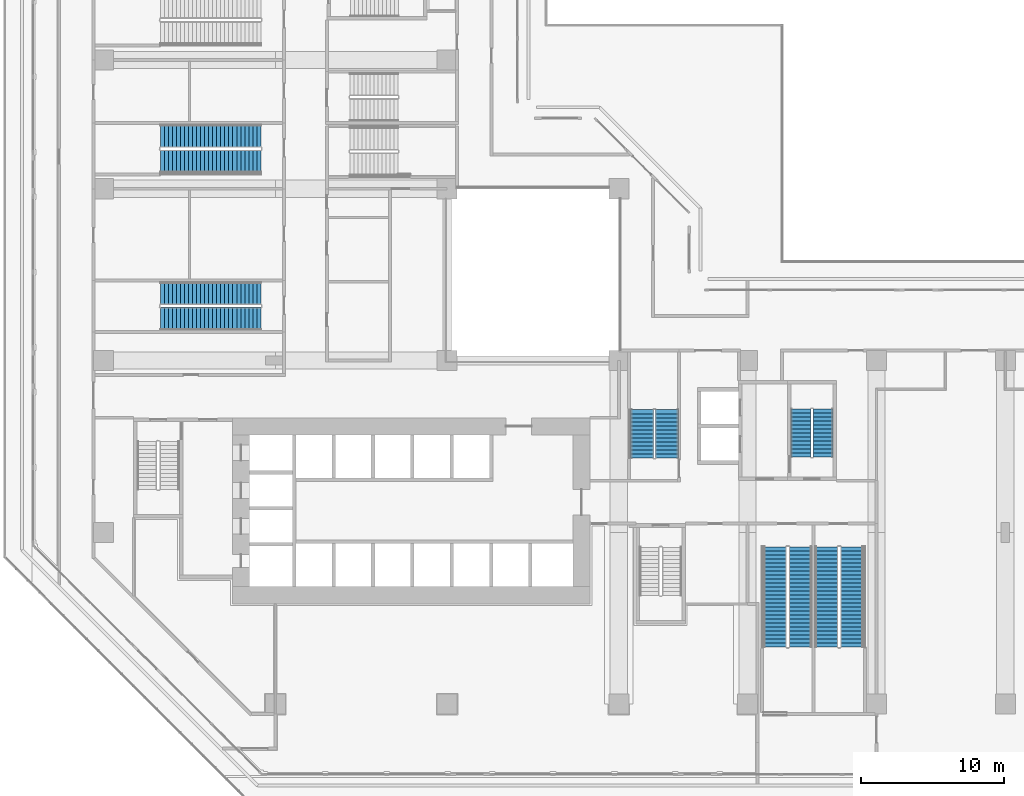
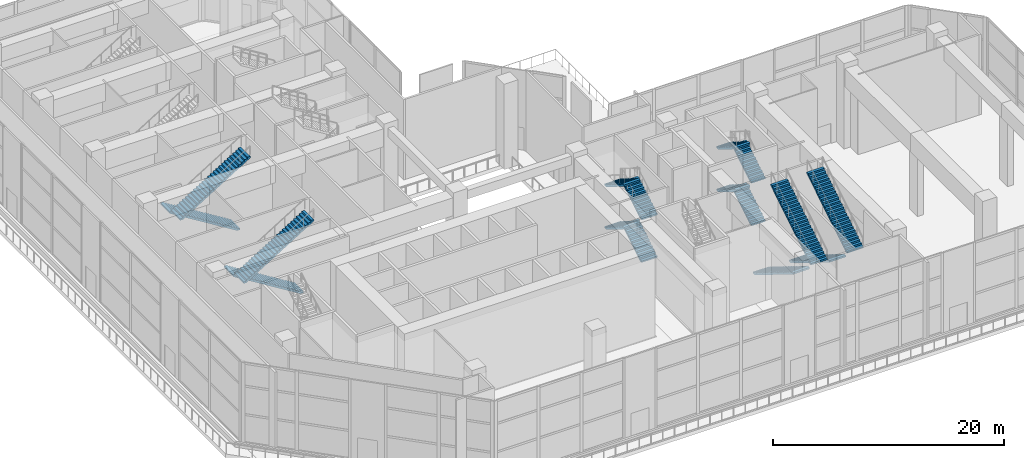
# One storey, part 19 of 28: 16 stair flights, 6 elements without a shape of their own.
"""IFC4 building model written with IfcOpenShell, lengths in metres."""

from ifc_helpers import new_model, si_unit, direction, frame, origin, place, context, subcontext, project, spatial, polyline, outline, extrude, material, type_object, element, aggregate, save


model = new_model("IFC4")

# Units and contexts
model_context = context("Model", 3, precision=1e-05, world=origin(), true_north=direction((0.0, 1.0)))
body_context = subcontext(model_context, "Body", "Model", "MODEL_VIEW")
ifc_project = project(units=[si_unit("LENGTHUNIT", "METRE"), si_unit("AREAUNIT", "SQUARE_METRE"), si_unit("VOLUMEUNIT", "CUBIC_METRE"), si_unit("PLANEANGLEUNIT", "RADIAN"), si_unit("MASSUNIT", "GRAM", prefix="KILO")], contexts=[model_context])

# Site, building, storey
site_placement = place(None, origin())
site = spatial("IfcSite", under=ifc_project, at=site_placement, CompositionType="ELEMENT")
building_placement = place(site_placement, origin())
building = spatial("IfcBuilding", under=site, at=building_placement, Name="Chenar Terraces", CompositionType="ELEMENT")
storey_placement = place(building_placement, frame((0.0, 0.0, 26.39990234375)))
storey = spatial("IfcBuildingStorey", under=building, at=storey_placement, Name="L05", CompositionType="ELEMENT", Elevation=26.39990234375)

# Stair, stair flights
ifc_material_1 = material(Name="Reinforced concrete C40/50", Category="concrete")
stair_type = type_object("IfcStairType", Name="Core stair 1400 half-turn", PredefinedType="HALF_TURN_STAIR", material=ifc_material_1)
placement = place(storey_placement, origin())
stair_1 = element("IfcStair", 1, at=placement, inside=storey, type_object=stair_type, Name="L05 Stair 3", PredefinedType="HALF_TURN_STAIR")
ifc_material_2 = material(Name="Reinforced concrete C40/50", Category="concrete")
stair_flight_type = type_object("IfcStairFlightType", Name="Core stair flight 1400", PredefinedType="STRAIGHT", material=ifc_material_2)
stair_flight_1_placement = place(storey_placement, frame((50.27490234375, 17.25, 0.0), z_axis=(0.0, 0.0, 1.0), x_axis=(0.0, 1.0, 0.0)))
stair_flight_1 = element("IfcStairFlight", 2, at=stair_flight_1_placement, type_object=stair_flight_type, Name="ST3 flight 1", NumberOfRisers=13, NumberOfTreads=12, PredefinedType="STRAIGHT", RiserHeight=0.173076923, TreadLength=0.28, context=body_context, shape_type="SweptSolid", body=[
    extrude(outline(polyline([(-0.0029296875, 0.0), (-0.0029296875, 0.173095703125), (0.0, 0.173095703125), (0.280029296875, 0.173095703125), (0.280029296875, 0.34619140625), (0.56005859375, 0.34619140625), (0.56005859375, 0.519287109375), (0.840087890625, 0.519287109375), (0.840087890625, 0.6923828125), (1.1201171875, 0.6923828125), (1.1201171875, 0.865478515625), (1.39990234375, 0.865478515625), (1.39990234375, 1.03857421875), (1.679931640625, 1.03857421875), (1.679931640625, 1.21142578125), (1.9599609375, 1.21142578125), (1.9599609375, 1.384521484375), (2.239990234375, 1.384521484375), (2.239990234375, 1.5576171875), (2.52001953125, 1.5576171875), (2.52001953125, 1.730712890625), (2.800048828125, 1.730712890625), (2.800048828125, 1.90380859375), (3.080078125, 1.90380859375), (3.080078125, 2.076904296875), (3.360107421875, 2.076904296875), (3.363037109375, 2.076904296875), (3.363037109375, 1.900634765625), (3.360107421875, 1.900634765625), (0.28515625, 0.0), (-0.0029296875, 0.0)])), frame((0.0, 0.699951171875, 0.0), z_axis=(0.0, -1.0, 0.0), x_axis=(1.0, 0.0, 0.0)), (0.0, 0.0, 1.0), 1.39990234375),
])
stair_flight_2_placement = place(storey_placement, frame((48.72509765625, 20.610107421875, 2.25), z_axis=(0.0, 0.0, 1.0), x_axis=(0.0, -1.0, 0.0)))
stair_flight_2 = element("IfcStairFlight", 3, at=stair_flight_2_placement, type_object=stair_flight_type, Name="ST3 flight 2", NumberOfRisers=13, NumberOfTreads=12, PredefinedType="STRAIGHT", RiserHeight=0.173076923, TreadLength=0.28, context=body_context, shape_type="SweptSolid", body=[
    extrude(outline(polyline([(-0.0029296875, 0.0), (-0.0029296875, 0.173095703125), (0.0, 0.173095703125), (0.280029296875, 0.173095703125), (0.280029296875, 0.34619140625), (0.56005859375, 0.34619140625), (0.56005859375, 0.519287109375), (0.840087890625, 0.519287109375), (0.840087890625, 0.6923828125), (1.1201171875, 0.6923828125), (1.1201171875, 0.865478515625), (1.39990234375, 0.865478515625), (1.39990234375, 1.03857421875), (1.679931640625, 1.03857421875), (1.679931640625, 1.21142578125), (1.9599609375, 1.21142578125), (1.9599609375, 1.384521484375), (2.239990234375, 1.384521484375), (2.239990234375, 1.5576171875), (2.52001953125, 1.5576171875), (2.52001953125, 1.730712890625), (2.800048828125, 1.730712890625), (2.800048828125, 1.90380859375), (3.080078125, 1.90380859375), (3.080078125, 2.076904296875), (3.360107421875, 2.076904296875), (3.363037109375, 2.076904296875), (3.363037109375, 1.900634765625), (3.360107421875, 1.900634765625), (0.28515625, 0.0), (-0.0029296875, 0.0)])), frame((0.0, 0.699951171875, 0.0), z_axis=(0.0, -1.0, 0.0), x_axis=(1.0, 0.0, 0.0)), (0.0, 0.0, 1.0), 1.39990234375),
])
stair_flight_3_placement = place(storey_placement, frame((50.27490234375, 17.25, 4.5), z_axis=(0.0, 0.0, 1.0), x_axis=(0.0, 1.0, 0.0)))
stair_flight_3 = element("IfcStairFlight", 4, at=stair_flight_3_placement, type_object=stair_flight_type, Name="ST3 flight 3", NumberOfRisers=13, NumberOfTreads=12, PredefinedType="STRAIGHT", RiserHeight=0.173076923, TreadLength=0.28, context=body_context, shape_type="SweptSolid", body=[
    extrude(outline(polyline([(-0.0029296875, 0.0), (-0.0029296875, 0.173095703125), (0.0, 0.173095703125), (0.280029296875, 0.173095703125), (0.280029296875, 0.34619140625), (0.56005859375, 0.34619140625), (0.56005859375, 0.519287109375), (0.840087890625, 0.519287109375), (0.840087890625, 0.6923828125), (1.1201171875, 0.6923828125), (1.1201171875, 0.865478515625), (1.39990234375, 0.865478515625), (1.39990234375, 1.03857421875), (1.679931640625, 1.03857421875), (1.679931640625, 1.21142578125), (1.9599609375, 1.21142578125), (1.9599609375, 1.384521484375), (2.239990234375, 1.384521484375), (2.239990234375, 1.5576171875), (2.52001953125, 1.5576171875), (2.52001953125, 1.730712890625), (2.800048828125, 1.730712890625), (2.800048828125, 1.90380859375), (3.080078125, 1.90380859375), (3.080078125, 2.076904296875), (3.360107421875, 2.076904296875), (3.363037109375, 2.076904296875), (3.363037109375, 1.900634765625), (3.360107421875, 1.900634765625), (0.28515625, 0.0), (-0.0029296875, 0.0)])), frame((0.0, 0.699951171875, 0.0), z_axis=(0.0, -1.0, 0.0), x_axis=(1.0, 0.0, 0.0)), (0.0, 0.0, 1.0), 1.39990234375),
])
stair_flight_4_placement = place(storey_placement, frame((48.72509765625, 20.610107421875, 6.75), z_axis=(0.0, 0.0, 1.0), x_axis=(0.0, -1.0, 0.0)))
stair_flight_4 = element("IfcStairFlight", 5, at=stair_flight_4_placement, type_object=stair_flight_type, Name="ST3 flight 4", NumberOfRisers=13, NumberOfTreads=12, PredefinedType="STRAIGHT", RiserHeight=0.173076923, TreadLength=0.28, context=body_context, shape_type="SweptSolid", body=[
    extrude(outline(polyline([(-0.0029296875, 0.0), (-0.0029296875, 0.173095703125), (0.0, 0.173095703125), (0.280029296875, 0.173095703125), (0.280029296875, 0.34619140625), (0.56005859375, 0.34619140625), (0.56005859375, 0.519287109375), (0.840087890625, 0.519287109375), (0.840087890625, 0.6923828125), (1.1201171875, 0.6923828125), (1.1201171875, 0.865478515625), (1.39990234375, 0.865478515625), (1.39990234375, 1.03857421875), (1.679931640625, 1.03857421875), (1.679931640625, 1.21142578125), (1.9599609375, 1.21142578125), (1.9599609375, 1.384521484375), (2.239990234375, 1.384521484375), (2.239990234375, 1.5576171875), (2.52001953125, 1.5576171875), (2.52001953125, 1.730712890625), (2.800048828125, 1.730712890625), (2.800048828125, 1.90380859375), (3.080078125, 1.90380859375), (3.080078125, 2.076904296875), (3.360107421875, 2.076904296875), (3.363037109375, 2.076904296875), (3.363037109375, 1.900634765625), (3.360107421875, 1.900634765625), (0.28515625, 0.0), (-0.0029296875, 0.0)])), frame((0.0, 0.699951171875, 0.0), z_axis=(0.0, -1.0, 0.0), x_axis=(1.0, 0.0, 0.0)), (0.0, 0.0, 1.0), 1.39990234375),
])
aggregate(stair_1, [stair_flight_1, stair_flight_2, stair_flight_3, stair_flight_4])

stair_2 = element("IfcStair", 6, at=placement, inside=storey, type_object=stair_type, Name="L05 Exit stair PS1", PredefinedType="HALF_TURN_STAIR")
stair_flight_5_placement = place(storey_placement, frame((39.375, 17.199951171875, 0.0), z_axis=(0.0, 0.0, 1.0), x_axis=(0.0, 1.0, 0.0)))
stair_flight_5 = element("IfcStairFlight", 7, at=stair_flight_5_placement, type_object=stair_flight_type, Name="PS1 flight 1", NumberOfRisers=13, NumberOfTreads=12, PredefinedType="STRAIGHT", RiserHeight=0.173076923, TreadLength=0.28, context=body_context, shape_type="SweptSolid", body=[
    extrude(outline(polyline([(-0.0029296875, 0.0), (-0.0029296875, 0.173095703125), (0.0, 0.173095703125), (0.280029296875, 0.173095703125), (0.280029296875, 0.34619140625), (0.56005859375, 0.34619140625), (0.56005859375, 0.519287109375), (0.840087890625, 0.519287109375), (0.840087890625, 0.6923828125), (1.1201171875, 0.6923828125), (1.1201171875, 0.865478515625), (1.39990234375, 0.865478515625), (1.39990234375, 1.03857421875), (1.679931640625, 1.03857421875), (1.679931640625, 1.21142578125), (1.9599609375, 1.21142578125), (1.9599609375, 1.384521484375), (2.239990234375, 1.384521484375), (2.239990234375, 1.5576171875), (2.52001953125, 1.5576171875), (2.52001953125, 1.730712890625), (2.800048828125, 1.730712890625), (2.800048828125, 1.90380859375), (3.080078125, 1.90380859375), (3.080078125, 2.076904296875), (3.360107421875, 2.076904296875), (3.363037109375, 2.076904296875), (3.363037109375, 1.900634765625), (3.360107421875, 1.900634765625), (0.28515625, 0.0), (-0.0029296875, 0.0)])), frame((0.0, 0.800048828125, 0.0), z_axis=(0.0, -1.0, 0.0), x_axis=(1.0, 0.0, 0.0)), (0.0, 0.0, 1.0), 1.60009765625),
])
stair_flight_6_placement = place(storey_placement, frame((37.625, 20.56005859375, 2.25), z_axis=(0.0, 0.0, 1.0), x_axis=(0.0, -1.0, 0.0)))
stair_flight_6 = element("IfcStairFlight", 8, at=stair_flight_6_placement, type_object=stair_flight_type, Name="PS1 flight 2", NumberOfRisers=13, NumberOfTreads=12, PredefinedType="STRAIGHT", RiserHeight=0.173076923, TreadLength=0.28, context=body_context, shape_type="SweptSolid", body=[
    extrude(outline(polyline([(-0.0029296875, 0.0), (-0.0029296875, 0.173095703125), (0.0, 0.173095703125), (0.280029296875, 0.173095703125), (0.280029296875, 0.34619140625), (0.56005859375, 0.34619140625), (0.56005859375, 0.519287109375), (0.840087890625, 0.519287109375), (0.840087890625, 0.6923828125), (1.1201171875, 0.6923828125), (1.1201171875, 0.865478515625), (1.39990234375, 0.865478515625), (1.39990234375, 1.03857421875), (1.679931640625, 1.03857421875), (1.679931640625, 1.21142578125), (1.9599609375, 1.21142578125), (1.9599609375, 1.384521484375), (2.239990234375, 1.384521484375), (2.239990234375, 1.5576171875), (2.52001953125, 1.5576171875), (2.52001953125, 1.730712890625), (2.800048828125, 1.730712890625), (2.800048828125, 1.90380859375), (3.080078125, 1.90380859375), (3.080078125, 2.076904296875), (3.360107421875, 2.076904296875), (3.363037109375, 2.076904296875), (3.363037109375, 1.900634765625), (3.360107421875, 1.900634765625), (0.28515625, 0.0), (-0.0029296875, 0.0)])), frame((0.0, 0.800048828125, 0.0), z_axis=(0.0, -1.0, 0.0), x_axis=(1.0, 0.0, 0.0)), (0.0, 0.0, 1.0), 1.60009765625),
])
stair_flight_7_placement = place(storey_placement, frame((39.375, 17.199951171875, 4.5), z_axis=(0.0, 0.0, 1.0), x_axis=(0.0, 1.0, 0.0)))
stair_flight_7 = element("IfcStairFlight", 9, at=stair_flight_7_placement, type_object=stair_flight_type, Name="PS1 flight 3", NumberOfRisers=13, NumberOfTreads=12, PredefinedType="STRAIGHT", RiserHeight=0.173076923, TreadLength=0.28, context=body_context, shape_type="SweptSolid", body=[
    extrude(outline(polyline([(-0.0029296875, 0.0), (-0.0029296875, 0.173095703125), (0.0, 0.173095703125), (0.280029296875, 0.173095703125), (0.280029296875, 0.34619140625), (0.56005859375, 0.34619140625), (0.56005859375, 0.519287109375), (0.840087890625, 0.519287109375), (0.840087890625, 0.6923828125), (1.1201171875, 0.6923828125), (1.1201171875, 0.865478515625), (1.39990234375, 0.865478515625), (1.39990234375, 1.03857421875), (1.679931640625, 1.03857421875), (1.679931640625, 1.21142578125), (1.9599609375, 1.21142578125), (1.9599609375, 1.384521484375), (2.239990234375, 1.384521484375), (2.239990234375, 1.5576171875), (2.52001953125, 1.5576171875), (2.52001953125, 1.730712890625), (2.800048828125, 1.730712890625), (2.800048828125, 1.90380859375), (3.080078125, 1.90380859375), (3.080078125, 2.076904296875), (3.360107421875, 2.076904296875), (3.363037109375, 2.076904296875), (3.363037109375, 1.900634765625), (3.360107421875, 1.900634765625), (0.28515625, 0.0), (-0.0029296875, 0.0)])), frame((0.0, 0.800048828125, 0.0), z_axis=(0.0, -1.0, 0.0), x_axis=(1.0, 0.0, 0.0)), (0.0, 0.0, 1.0), 1.60009765625),
])
stair_flight_8_placement = place(storey_placement, frame((37.625, 20.56005859375, 6.75), z_axis=(0.0, 0.0, 1.0), x_axis=(0.0, -1.0, 0.0)))
stair_flight_8 = element("IfcStairFlight", 10, at=stair_flight_8_placement, type_object=stair_flight_type, Name="PS1 flight 4", NumberOfRisers=13, NumberOfTreads=12, PredefinedType="STRAIGHT", RiserHeight=0.173076923, TreadLength=0.28, context=body_context, shape_type="SweptSolid", body=[
    extrude(outline(polyline([(-0.0029296875, 0.0), (-0.0029296875, 0.173095703125), (0.0, 0.173095703125), (0.280029296875, 0.173095703125), (0.280029296875, 0.34619140625), (0.56005859375, 0.34619140625), (0.56005859375, 0.519287109375), (0.840087890625, 0.519287109375), (0.840087890625, 0.6923828125), (1.1201171875, 0.6923828125), (1.1201171875, 0.865478515625), (1.39990234375, 0.865478515625), (1.39990234375, 1.03857421875), (1.679931640625, 1.03857421875), (1.679931640625, 1.21142578125), (1.9599609375, 1.21142578125), (1.9599609375, 1.384521484375), (2.239990234375, 1.384521484375), (2.239990234375, 1.5576171875), (2.52001953125, 1.5576171875), (2.52001953125, 1.730712890625), (2.800048828125, 1.730712890625), (2.800048828125, 1.90380859375), (3.080078125, 1.90380859375), (3.080078125, 2.076904296875), (3.360107421875, 2.076904296875), (3.363037109375, 2.076904296875), (3.363037109375, 1.900634765625), (3.360107421875, 1.900634765625), (0.28515625, 0.0), (-0.0029296875, 0.0)])), frame((0.0, 0.800048828125, 0.0), z_axis=(0.0, -1.0, 0.0), x_axis=(1.0, 0.0, 0.0)), (0.0, 0.0, 1.0), 1.60009765625),
])
aggregate(stair_2, [stair_flight_5, stair_flight_6, stair_flight_7, stair_flight_8])

stair_3 = element("IfcStair", 11, at=placement, inside=storey, type_object=stair_type, Name="L05 Exit stair PS2", PredefinedType="HALF_TURN_STAIR")
stair_flight_9_placement = place(storey_placement, frame((50.517578125, 10.985107421875, 0.0), z_axis=(0.0, 0.0, 1.0), x_axis=(0.0, -1.0, 0.0)))
stair_flight_9 = element("IfcStairFlight", 12, at=stair_flight_9_placement, type_object=stair_flight_type, Name="PS2 flight 1", NumberOfRisers=26, NumberOfTreads=25, PredefinedType="STRAIGHT", RiserHeight=0.173076923, TreadLength=0.28, context=body_context, shape_type="SweptSolid", body=[
    extrude(outline(polyline([(-0.0029296875, 0.0), (-0.0029296875, 0.173095703125), (0.0, 0.173095703125), (0.280029296875, 0.173095703125), (0.280029296875, 0.34619140625), (0.56005859375, 0.34619140625), (0.56005859375, 0.519287109375), (0.840087890625, 0.519287109375), (0.840087890625, 0.6923828125), (1.1201171875, 0.6923828125), (1.1201171875, 0.865478515625), (1.39990234375, 0.865478515625), (1.39990234375, 1.03857421875), (1.679931640625, 1.03857421875), (1.679931640625, 1.21142578125), (1.9599609375, 1.21142578125), (1.9599609375, 1.384521484375), (2.239990234375, 1.384521484375), (2.239990234375, 1.5576171875), (2.52001953125, 1.5576171875), (2.52001953125, 1.730712890625), (2.800048828125, 1.730712890625), (2.800048828125, 1.90380859375), (3.080078125, 1.90380859375), (3.080078125, 2.076904296875), (3.360107421875, 2.076904296875), (3.360107421875, 2.25), (3.639892578125, 2.25), (3.639892578125, 2.423095703125), (3.919921875, 2.423095703125), (3.919921875, 2.59619140625), (4.199951171875, 2.59619140625), (4.199951171875, 2.769287109375), (4.47998046875, 2.769287109375), (4.47998046875, 2.9423828125), (4.760009765625, 2.9423828125), (4.760009765625, 3.115478515625), (5.0400390625, 3.115478515625), (5.0400390625, 3.28857421875), (5.320068359375, 3.28857421875), (5.320068359375, 3.46142578125), (5.60009765625, 3.46142578125), (5.60009765625, 3.634521484375), (5.8798828125, 3.634521484375), (5.8798828125, 3.8076171875), (6.159912109375, 3.8076171875), (6.159912109375, 3.980712890625), (6.43994140625, 3.980712890625), (6.43994140625, 4.15380859375), (6.719970703125, 4.15380859375), (6.719970703125, 4.326904296875), (7.0, 4.326904296875), (7.0029296875, 4.326904296875), (7.0029296875, 4.150634765625), (7.0, 4.150634765625), (0.28515625, 0.0), (-0.0029296875, 0.0)])), frame((0.0, 0.8076171875, 0.0), z_axis=(0.0, -1.0, 0.0), x_axis=(1.0, 0.0, 0.0)), (0.0, 0.0, 1.0), 1.614990234375),
])
stair_flight_10_placement = place(storey_placement, frame((52.282470703125, 3.985107421875, 4.5), z_axis=(0.0, 0.0, 1.0), x_axis=(0.0, 1.0, 0.0)))
stair_flight_10 = element("IfcStairFlight", 13, at=stair_flight_10_placement, type_object=stair_flight_type, Name="PS2 flight 2", NumberOfRisers=26, NumberOfTreads=25, PredefinedType="STRAIGHT", RiserHeight=0.173076923, TreadLength=0.28, context=body_context, shape_type="SweptSolid", body=[
    extrude(outline(polyline([(-0.0029296875, 0.0), (-0.0029296875, 0.173095703125), (0.0, 0.173095703125), (0.280029296875, 0.173095703125), (0.280029296875, 0.34619140625), (0.56005859375, 0.34619140625), (0.56005859375, 0.519287109375), (0.840087890625, 0.519287109375), (0.840087890625, 0.6923828125), (1.1201171875, 0.6923828125), (1.1201171875, 0.865478515625), (1.39990234375, 0.865478515625), (1.39990234375, 1.03857421875), (1.679931640625, 1.03857421875), (1.679931640625, 1.21142578125), (1.9599609375, 1.21142578125), (1.9599609375, 1.384521484375), (2.239990234375, 1.384521484375), (2.239990234375, 1.5576171875), (2.52001953125, 1.5576171875), (2.52001953125, 1.730712890625), (2.800048828125, 1.730712890625), (2.800048828125, 1.90380859375), (3.080078125, 1.90380859375), (3.080078125, 2.076904296875), (3.360107421875, 2.076904296875), (3.360107421875, 2.25), (3.639892578125, 2.25), (3.639892578125, 2.423095703125), (3.919921875, 2.423095703125), (3.919921875, 2.59619140625), (4.199951171875, 2.59619140625), (4.199951171875, 2.769287109375), (4.47998046875, 2.769287109375), (4.47998046875, 2.9423828125), (4.760009765625, 2.9423828125), (4.760009765625, 3.115478515625), (5.0400390625, 3.115478515625), (5.0400390625, 3.28857421875), (5.320068359375, 3.28857421875), (5.320068359375, 3.46142578125), (5.60009765625, 3.46142578125), (5.60009765625, 3.634521484375), (5.8798828125, 3.634521484375), (5.8798828125, 3.8076171875), (6.159912109375, 3.8076171875), (6.159912109375, 3.980712890625), (6.43994140625, 3.980712890625), (6.43994140625, 4.15380859375), (6.719970703125, 4.15380859375), (6.719970703125, 4.326904296875), (7.0, 4.326904296875), (7.0029296875, 4.326904296875), (7.0029296875, 4.150634765625), (7.0, 4.150634765625), (0.28515625, 0.0), (-0.0029296875, 0.0)])), frame((0.0, 0.8076171875, 0.0), z_axis=(0.0, -1.0, 0.0), x_axis=(1.0, 0.0, 0.0)), (0.0, 0.0, 1.0), 1.614990234375),
])
aggregate(stair_3, [stair_flight_9, stair_flight_10])

stair_4 = element("IfcStair", 14, at=placement, inside=storey, type_object=stair_type, Name="L05 Exit stair PS5", PredefinedType="HALF_TURN_STAIR")
stair_flight_11_placement = place(storey_placement, frame((10.985107421875, 28.6826171875, 0.0), z_axis=(0.0, 0.0, 1.0), x_axis=(-1.0, 0.0, 0.0)))
stair_flight_11 = element("IfcStairFlight", 15, at=stair_flight_11_placement, type_object=stair_flight_type, Name="PS5 flight 1", NumberOfRisers=26, NumberOfTreads=25, PredefinedType="STRAIGHT", RiserHeight=0.173076923, TreadLength=0.28, context=body_context, shape_type="SweptSolid", body=[
    extrude(outline(polyline([(-0.0029296875, 0.0), (-0.0029296875, 0.173095703125), (0.0, 0.173095703125), (0.280029296875, 0.173095703125), (0.280029296875, 0.34619140625), (0.56005859375, 0.34619140625), (0.56005859375, 0.519287109375), (0.840087890625, 0.519287109375), (0.840087890625, 0.6923828125), (1.1201171875, 0.6923828125), (1.1201171875, 0.865478515625), (1.39990234375, 0.865478515625), (1.39990234375, 1.03857421875), (1.679931640625, 1.03857421875), (1.679931640625, 1.21142578125), (1.9599609375, 1.21142578125), (1.9599609375, 1.384521484375), (2.239990234375, 1.384521484375), (2.239990234375, 1.5576171875), (2.52001953125, 1.5576171875), (2.52001953125, 1.730712890625), (2.800048828125, 1.730712890625), (2.800048828125, 1.90380859375), (3.080078125, 1.90380859375), (3.080078125, 2.076904296875), (3.360107421875, 2.076904296875), (3.360107421875, 2.25), (3.639892578125, 2.25), (3.639892578125, 2.423095703125), (3.919921875, 2.423095703125), (3.919921875, 2.59619140625), (4.199951171875, 2.59619140625), (4.199951171875, 2.769287109375), (4.47998046875, 2.769287109375), (4.47998046875, 2.9423828125), (4.760009765625, 2.9423828125), (4.760009765625, 3.115478515625), (5.0400390625, 3.115478515625), (5.0400390625, 3.28857421875), (5.320068359375, 3.28857421875), (5.320068359375, 3.46142578125), (5.60009765625, 3.46142578125), (5.60009765625, 3.634521484375), (5.8798828125, 3.634521484375), (5.8798828125, 3.8076171875), (6.159912109375, 3.8076171875), (6.159912109375, 3.980712890625), (6.43994140625, 3.980712890625), (6.43994140625, 4.15380859375), (6.719970703125, 4.15380859375), (6.719970703125, 4.326904296875), (7.0, 4.326904296875), (7.0029296875, 4.326904296875), (7.0029296875, 4.150634765625), (7.0, 4.150634765625), (0.28515625, 0.0), (-0.0029296875, 0.0)])), frame((0.0, 0.8076171875, 0.0), z_axis=(0.0, -1.0, 0.0), x_axis=(1.0, 0.0, 0.0)), (0.0, 0.0, 1.0), 1.614990234375),
])
stair_flight_12_placement = place(storey_placement, frame((3.985107421875, 26.91748046875, 4.5), z_axis=(0.0, 0.0, 1.0), x_axis=(1.0, 0.0, 0.0)))
stair_flight_12 = element("IfcStairFlight", 16, at=stair_flight_12_placement, type_object=stair_flight_type, Name="PS5 flight 2", NumberOfRisers=26, NumberOfTreads=25, PredefinedType="STRAIGHT", RiserHeight=0.173076923, TreadLength=0.28, context=body_context, shape_type="SweptSolid", body=[
    extrude(outline(polyline([(-0.0029296875, 0.0), (-0.0029296875, 0.173095703125), (0.0, 0.173095703125), (0.280029296875, 0.173095703125), (0.280029296875, 0.34619140625), (0.56005859375, 0.34619140625), (0.56005859375, 0.519287109375), (0.840087890625, 0.519287109375), (0.840087890625, 0.6923828125), (1.1201171875, 0.6923828125), (1.1201171875, 0.865478515625), (1.39990234375, 0.865478515625), (1.39990234375, 1.03857421875), (1.679931640625, 1.03857421875), (1.679931640625, 1.21142578125), (1.9599609375, 1.21142578125), (1.9599609375, 1.384521484375), (2.239990234375, 1.384521484375), (2.239990234375, 1.5576171875), (2.52001953125, 1.5576171875), (2.52001953125, 1.730712890625), (2.800048828125, 1.730712890625), (2.800048828125, 1.90380859375), (3.080078125, 1.90380859375), (3.080078125, 2.076904296875), (3.360107421875, 2.076904296875), (3.360107421875, 2.25), (3.639892578125, 2.25), (3.639892578125, 2.423095703125), (3.919921875, 2.423095703125), (3.919921875, 2.59619140625), (4.199951171875, 2.59619140625), (4.199951171875, 2.769287109375), (4.47998046875, 2.769287109375), (4.47998046875, 2.9423828125), (4.760009765625, 2.9423828125), (4.760009765625, 3.115478515625), (5.0400390625, 3.115478515625), (5.0400390625, 3.28857421875), (5.320068359375, 3.28857421875), (5.320068359375, 3.46142578125), (5.60009765625, 3.46142578125), (5.60009765625, 3.634521484375), (5.8798828125, 3.634521484375), (5.8798828125, 3.8076171875), (6.159912109375, 3.8076171875), (6.159912109375, 3.980712890625), (6.43994140625, 3.980712890625), (6.43994140625, 4.15380859375), (6.719970703125, 4.15380859375), (6.719970703125, 4.326904296875), (7.0, 4.326904296875), (7.0029296875, 4.326904296875), (7.0029296875, 4.150634765625), (7.0, 4.150634765625), (0.28515625, 0.0), (-0.0029296875, 0.0)])), frame((0.0, 0.8076171875, 0.0), z_axis=(0.0, -1.0, 0.0), x_axis=(1.0, 0.0, 0.0)), (0.0, 0.0, 1.0), 1.614990234375),
])
aggregate(stair_4, [stair_flight_11, stair_flight_12])

stair_5 = element("IfcStair", 17, at=placement, inside=storey, type_object=stair_type, Name="L05 Exit stair PS6", PredefinedType="HALF_TURN_STAIR")
stair_flight_13_placement = place(storey_placement, frame((46.91748046875, 10.985107421875, 0.0), z_axis=(0.0, 0.0, 1.0), x_axis=(0.0, -1.0, 0.0)))
stair_flight_13 = element("IfcStairFlight", 18, at=stair_flight_13_placement, type_object=stair_flight_type, Name="PS6 flight 1", NumberOfRisers=26, NumberOfTreads=25, PredefinedType="STRAIGHT", RiserHeight=0.173076923, TreadLength=0.28, context=body_context, shape_type="SweptSolid", body=[
    extrude(outline(polyline([(-0.0029296875, 0.0), (-0.0029296875, 0.173095703125), (0.0, 0.173095703125), (0.280029296875, 0.173095703125), (0.280029296875, 0.34619140625), (0.56005859375, 0.34619140625), (0.56005859375, 0.519287109375), (0.840087890625, 0.519287109375), (0.840087890625, 0.6923828125), (1.1201171875, 0.6923828125), (1.1201171875, 0.865478515625), (1.39990234375, 0.865478515625), (1.39990234375, 1.03857421875), (1.679931640625, 1.03857421875), (1.679931640625, 1.21142578125), (1.9599609375, 1.21142578125), (1.9599609375, 1.384521484375), (2.239990234375, 1.384521484375), (2.239990234375, 1.5576171875), (2.52001953125, 1.5576171875), (2.52001953125, 1.730712890625), (2.800048828125, 1.730712890625), (2.800048828125, 1.90380859375), (3.080078125, 1.90380859375), (3.080078125, 2.076904296875), (3.360107421875, 2.076904296875), (3.360107421875, 2.25), (3.639892578125, 2.25), (3.639892578125, 2.423095703125), (3.919921875, 2.423095703125), (3.919921875, 2.59619140625), (4.199951171875, 2.59619140625), (4.199951171875, 2.769287109375), (4.47998046875, 2.769287109375), (4.47998046875, 2.9423828125), (4.760009765625, 2.9423828125), (4.760009765625, 3.115478515625), (5.0400390625, 3.115478515625), (5.0400390625, 3.28857421875), (5.320068359375, 3.28857421875), (5.320068359375, 3.46142578125), (5.60009765625, 3.46142578125), (5.60009765625, 3.634521484375), (5.8798828125, 3.634521484375), (5.8798828125, 3.8076171875), (6.159912109375, 3.8076171875), (6.159912109375, 3.980712890625), (6.43994140625, 3.980712890625), (6.43994140625, 4.15380859375), (6.719970703125, 4.15380859375), (6.719970703125, 4.326904296875), (7.0, 4.326904296875), (7.0029296875, 4.326904296875), (7.0029296875, 4.150634765625), (7.0, 4.150634765625), (0.28515625, 0.0), (-0.0029296875, 0.0)])), frame((0.0, 0.8076171875, 0.0), z_axis=(0.0, -1.0, 0.0), x_axis=(1.0, 0.0, 0.0)), (0.0, 0.0, 1.0), 1.614990234375),
])
stair_flight_14_placement = place(storey_placement, frame((48.6826171875, 3.985107421875, 4.5), z_axis=(0.0, 0.0, 1.0), x_axis=(0.0, 1.0, 0.0)))
stair_flight_14 = element("IfcStairFlight", 19, at=stair_flight_14_placement, type_object=stair_flight_type, Name="PS6 flight 2", NumberOfRisers=26, NumberOfTreads=25, PredefinedType="STRAIGHT", RiserHeight=0.173076923, TreadLength=0.28, context=body_context, shape_type="SweptSolid", body=[
    extrude(outline(polyline([(-0.0029296875, 0.0), (-0.0029296875, 0.173095703125), (0.0, 0.173095703125), (0.280029296875, 0.173095703125), (0.280029296875, 0.34619140625), (0.56005859375, 0.34619140625), (0.56005859375, 0.519287109375), (0.840087890625, 0.519287109375), (0.840087890625, 0.6923828125), (1.1201171875, 0.6923828125), (1.1201171875, 0.865478515625), (1.39990234375, 0.865478515625), (1.39990234375, 1.03857421875), (1.679931640625, 1.03857421875), (1.679931640625, 1.21142578125), (1.9599609375, 1.21142578125), (1.9599609375, 1.384521484375), (2.239990234375, 1.384521484375), (2.239990234375, 1.5576171875), (2.52001953125, 1.5576171875), (2.52001953125, 1.730712890625), (2.800048828125, 1.730712890625), (2.800048828125, 1.90380859375), (3.080078125, 1.90380859375), (3.080078125, 2.076904296875), (3.360107421875, 2.076904296875), (3.360107421875, 2.25), (3.639892578125, 2.25), (3.639892578125, 2.423095703125), (3.919921875, 2.423095703125), (3.919921875, 2.59619140625), (4.199951171875, 2.59619140625), (4.199951171875, 2.769287109375), (4.47998046875, 2.769287109375), (4.47998046875, 2.9423828125), (4.760009765625, 2.9423828125), (4.760009765625, 3.115478515625), (5.0400390625, 3.115478515625), (5.0400390625, 3.28857421875), (5.320068359375, 3.28857421875), (5.320068359375, 3.46142578125), (5.60009765625, 3.46142578125), (5.60009765625, 3.634521484375), (5.8798828125, 3.634521484375), (5.8798828125, 3.8076171875), (6.159912109375, 3.8076171875), (6.159912109375, 3.980712890625), (6.43994140625, 3.980712890625), (6.43994140625, 4.15380859375), (6.719970703125, 4.15380859375), (6.719970703125, 4.326904296875), (7.0, 4.326904296875), (7.0029296875, 4.326904296875), (7.0029296875, 4.150634765625), (7.0, 4.150634765625), (0.28515625, 0.0), (-0.0029296875, 0.0)])), frame((0.0, 0.8076171875, 0.0), z_axis=(0.0, -1.0, 0.0), x_axis=(1.0, 0.0, 0.0)), (0.0, 0.0, 1.0), 1.614990234375),
])
aggregate(stair_5, [stair_flight_13, stair_flight_14])

stair_6 = element("IfcStair", 20, at=placement, inside=storey, type_object=stair_type, Name="L05 Exit stair PS9", PredefinedType="HALF_TURN_STAIR")
stair_flight_15_placement = place(storey_placement, frame((10.985107421875, 39.6826171875, 0.0), z_axis=(0.0, 0.0, 1.0), x_axis=(-1.0, 0.0, 0.0)))
stair_flight_15 = element("IfcStairFlight", 21, at=stair_flight_15_placement, type_object=stair_flight_type, Name="PS9 flight 1", NumberOfRisers=26, NumberOfTreads=25, PredefinedType="STRAIGHT", RiserHeight=0.173076923, TreadLength=0.28, context=body_context, shape_type="SweptSolid", body=[
    extrude(outline(polyline([(-0.0029296875, 0.0), (-0.0029296875, 0.173095703125), (0.0, 0.173095703125), (0.280029296875, 0.173095703125), (0.280029296875, 0.34619140625), (0.56005859375, 0.34619140625), (0.56005859375, 0.519287109375), (0.840087890625, 0.519287109375), (0.840087890625, 0.6923828125), (1.1201171875, 0.6923828125), (1.1201171875, 0.865478515625), (1.39990234375, 0.865478515625), (1.39990234375, 1.03857421875), (1.679931640625, 1.03857421875), (1.679931640625, 1.21142578125), (1.9599609375, 1.21142578125), (1.9599609375, 1.384521484375), (2.239990234375, 1.384521484375), (2.239990234375, 1.5576171875), (2.52001953125, 1.5576171875), (2.52001953125, 1.730712890625), (2.800048828125, 1.730712890625), (2.800048828125, 1.90380859375), (3.080078125, 1.90380859375), (3.080078125, 2.076904296875), (3.360107421875, 2.076904296875), (3.360107421875, 2.25), (3.639892578125, 2.25), (3.639892578125, 2.423095703125), (3.919921875, 2.423095703125), (3.919921875, 2.59619140625), (4.199951171875, 2.59619140625), (4.199951171875, 2.769287109375), (4.47998046875, 2.769287109375), (4.47998046875, 2.9423828125), (4.760009765625, 2.9423828125), (4.760009765625, 3.115478515625), (5.0400390625, 3.115478515625), (5.0400390625, 3.28857421875), (5.320068359375, 3.28857421875), (5.320068359375, 3.46142578125), (5.60009765625, 3.46142578125), (5.60009765625, 3.634521484375), (5.8798828125, 3.634521484375), (5.8798828125, 3.8076171875), (6.159912109375, 3.8076171875), (6.159912109375, 3.980712890625), (6.43994140625, 3.980712890625), (6.43994140625, 4.15380859375), (6.719970703125, 4.15380859375), (6.719970703125, 4.326904296875), (7.0, 4.326904296875), (7.0029296875, 4.326904296875), (7.0029296875, 4.150634765625), (7.0, 4.150634765625), (0.28515625, 0.0), (-0.0029296875, 0.0)])), frame((0.0, 0.8076171875, 0.0), z_axis=(0.0, -1.0, 0.0), x_axis=(1.0, 0.0, 0.0)), (0.0, 0.0, 1.0), 1.614990234375),
])
stair_flight_16_placement = place(storey_placement, frame((3.985107421875, 37.91748046875, 4.5), z_axis=(0.0, 0.0, 1.0), x_axis=(1.0, 0.0, 0.0)))
stair_flight_16 = element("IfcStairFlight", 22, at=stair_flight_16_placement, type_object=stair_flight_type, Name="PS9 flight 2", NumberOfRisers=26, NumberOfTreads=25, PredefinedType="STRAIGHT", RiserHeight=0.173076923, TreadLength=0.28, context=body_context, shape_type="SweptSolid", body=[
    extrude(outline(polyline([(-0.0029296875, 0.0), (-0.0029296875, 0.173095703125), (0.0, 0.173095703125), (0.280029296875, 0.173095703125), (0.280029296875, 0.34619140625), (0.56005859375, 0.34619140625), (0.56005859375, 0.519287109375), (0.840087890625, 0.519287109375), (0.840087890625, 0.6923828125), (1.1201171875, 0.6923828125), (1.1201171875, 0.865478515625), (1.39990234375, 0.865478515625), (1.39990234375, 1.03857421875), (1.679931640625, 1.03857421875), (1.679931640625, 1.21142578125), (1.9599609375, 1.21142578125), (1.9599609375, 1.384521484375), (2.239990234375, 1.384521484375), (2.239990234375, 1.5576171875), (2.52001953125, 1.5576171875), (2.52001953125, 1.730712890625), (2.800048828125, 1.730712890625), (2.800048828125, 1.90380859375), (3.080078125, 1.90380859375), (3.080078125, 2.076904296875), (3.360107421875, 2.076904296875), (3.360107421875, 2.25), (3.639892578125, 2.25), (3.639892578125, 2.423095703125), (3.919921875, 2.423095703125), (3.919921875, 2.59619140625), (4.199951171875, 2.59619140625), (4.199951171875, 2.769287109375), (4.47998046875, 2.769287109375), (4.47998046875, 2.9423828125), (4.760009765625, 2.9423828125), (4.760009765625, 3.115478515625), (5.0400390625, 3.115478515625), (5.0400390625, 3.28857421875), (5.320068359375, 3.28857421875), (5.320068359375, 3.46142578125), (5.60009765625, 3.46142578125), (5.60009765625, 3.634521484375), (5.8798828125, 3.634521484375), (5.8798828125, 3.8076171875), (6.159912109375, 3.8076171875), (6.159912109375, 3.980712890625), (6.43994140625, 3.980712890625), (6.43994140625, 4.15380859375), (6.719970703125, 4.15380859375), (6.719970703125, 4.326904296875), (7.0, 4.326904296875), (7.0029296875, 4.326904296875), (7.0029296875, 4.150634765625), (7.0, 4.150634765625), (0.28515625, 0.0), (-0.0029296875, 0.0)])), frame((0.0, 0.8076171875, 0.0), z_axis=(0.0, -1.0, 0.0), x_axis=(1.0, 0.0, 0.0)), (0.0, 0.0, 1.0), 1.614990234375),
])
aggregate(stair_6, [stair_flight_15, stair_flight_16])

save(model, "model.ifc")
